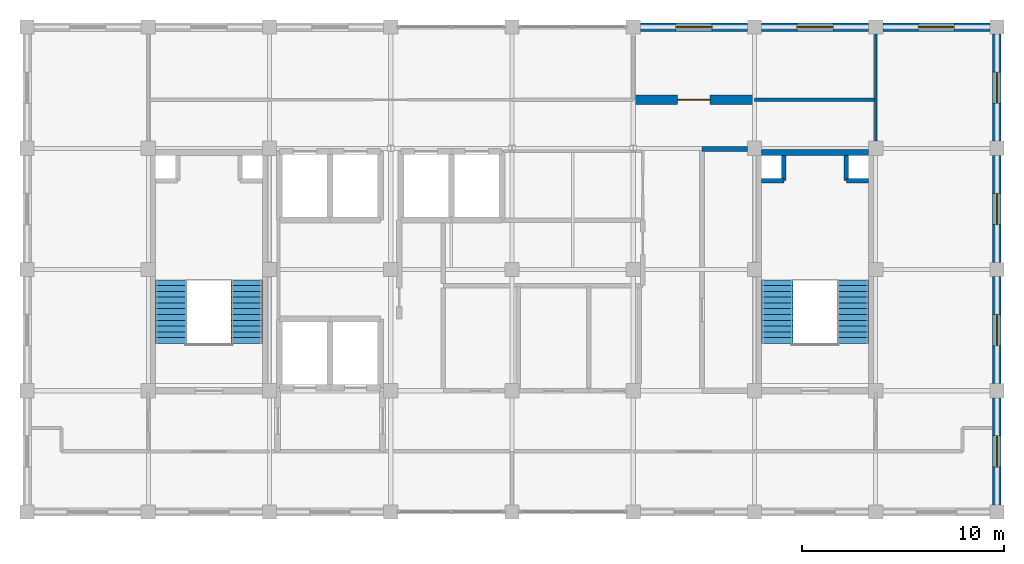
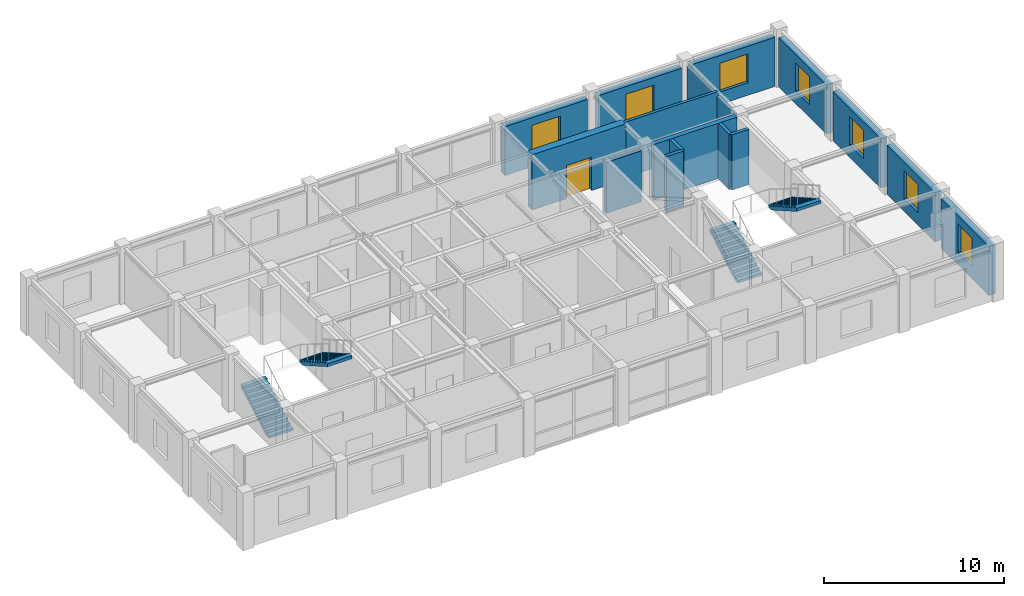
# One storey, part 10 of 11: 16 walls, 7 windows, 4 stair flights, 1 door, 8 openings, 2 elements without a shape of their own.
"""IFC4 building model written with IfcOpenShell, lengths in metres."""

from ifc_helpers import new_model, si_unit, direction, frame, frame_2d, origin, place, context, subcontext, project, spatial, polyline, rectangle, outline, extrude, material, layer, layer_set, type_object, element, fill, aggregate, save


model = new_model("IFC4")

# Units and contexts
model_context = context("Model", 3, precision=1e-05, world=origin(), true_north=direction((0.0, 1.0)))
body_context = subcontext(model_context, "Body", "Model", "MODEL_VIEW")
ifc_project = project(units=[si_unit("LENGTHUNIT", "METRE"), si_unit("AREAUNIT", "SQUARE_METRE"), si_unit("VOLUMEUNIT", "CUBIC_METRE"), si_unit("PLANEANGLEUNIT", "RADIAN"), si_unit("MASSUNIT", "GRAM", prefix="KILO")], contexts=[model_context])

# Site, building, storey
site_placement = place(None, origin())
site = spatial("IfcSite", under=ifc_project, at=site_placement, CompositionType="ELEMENT")
building_placement = place(site_placement, origin())
building = spatial("IfcBuilding", under=site, at=building_placement, Name="Zlatovratsky Civic Hall", CompositionType="ELEMENT")
storey_placement = place(building_placement, frame((0.0, 0.0, 56.10009765625)))
storey = spatial("IfcBuildingStorey", under=building, at=storey_placement, Name="L14", CompositionType="ELEMENT", Elevation=56.10009765625)

# Walls
ifc_material_1 = material(Name="Acoustic ceramic blockwork", Category="masonry")
ifc_layer_1 = layer(ifc_material_1, 0.179931640625)
ifc_layer_set_1 = layer_set([ifc_layer_1], Name="Acoustic ceramic blockwork")
wall_type_1 = type_object("IfcWallType", Name="Wall_AcousticChamberPartition_180", PredefinedType="PARTITIONING", material=ifc_layer_set_1)
wall_1_placement = place(storey_placement, frame((96.0, 98.39990234375, 0.0), z_axis=(0.0, 0.0, 1.0), x_axis=(1.0, 0.0, 0.0)))
element("IfcWall", 1, at=wall_1_placement, inside=storey, type_object=wall_type_1, Name="WL-6683", PredefinedType="PARTITIONING", context=body_context, shape_type="SweptSolid", body=[
    extrude(rectangle(XDim=6.0, YDim=0.179931640625, at=frame_2d((3.0, 0.0))), origin(), (0.0, 0.0, 1.0), 3.739990234375),
])
ifc_layer_2 = layer(ifc_material_1, 0.260009765625)
ifc_layer_set_2 = layer_set([ifc_layer_2], Name="Acoustic ceramic blockwork")
wall_type_2 = type_object("IfcWallType", Name="Wall_ArchiveCompartment_260", PredefinedType="PARTITIONING", material=ifc_layer_set_2)
wall_2_placement = place(storey_placement, frame((93.39990234375, 95.9599609375, 0.0), z_axis=(0.0, 0.0, 1.0), x_axis=(1.0, 0.0, 0.0)))
element("IfcWall", 2, at=wall_2_placement, inside=storey, type_object=wall_type_2, Name="WL-6648", PredefinedType="PARTITIONING", context=body_context, shape_type="SweptSolid", body=[
    extrude(rectangle(XDim=2.25, YDim=0.260009765625, at=frame_2d((1.125, 0.0))), origin(), (0.0, 0.0, 1.0), 3.448974609375),
])

# Wall, opening, door
ifc_material_2 = material(Name="Concrete C35/45 (B40)", Category="concrete")
ifc_layer_3 = layer(ifc_material_2, 0.47998046875)
ifc_layer_set_3 = layer_set([ifc_layer_3], Name="Concrete C35/45 (B40)")
wall_type_3 = type_object("IfcWallType", Name="Wall_LowerCoreShear_480", PredefinedType="SHEAR", material=ifc_layer_set_3)
wall_3_placement = place(storey_placement, frame((90.0, 98.39990234375, 0.0), z_axis=(0.0, 0.0, 1.0), x_axis=(1.0, 0.0, 0.0)))
wall_3 = element("IfcWall", 3, at=wall_3_placement, inside=storey, type_object=wall_type_3, Name="WL-6663", PredefinedType="SHEAR", context=body_context, shape_type="SweptSolid", body=[
    extrude(rectangle(XDim=6.0, YDim=0.47998046875, at=frame_2d((3.0, 0.0))), origin(), (0.0, 0.0, 1.0), 3.739990234375),
])
opening_1_placement = place(wall_3_placement, frame((2.199951171875, 0.0, 0.0)))
opening_1 = element("IfcOpeningElement", 4, at=opening_1_placement, cuts=wall_3, Name="Opening D-29", PredefinedType="OPENING", context=body_context, shape_type="SweptSolid", body=[
    extrude(rectangle(XDim=1.60009765625, YDim=2.25, at=frame_2d((0.800048828125, 1.125))), frame((0.0, 0.2548828125, 0.0), z_axis=(0.0, -1.0, 0.0), x_axis=(1.0, 0.0, 0.0)), (0.0, 0.0, 1.0), 0.509765625),
])
ifc_material_3 = material(Name="Insulated painted fire-rated steel leaf", Category="steel")
door_type = type_object("IfcDoorType", Name="Door_PlantRoomDouble_1600x2250", OperationType="DOUBLE_DOOR_SINGLE_SWING", PredefinedType="DOOR", material=ifc_material_3)
door_placement = place(opening_1_placement, origin())
door = element("IfcDoor", 5, at=door_placement, inside=storey, type_object=door_type, Name="DR-5512", OperationType="DOUBLE_DOOR_SINGLE_SWING", OverallHeight=2.25, OverallWidth=1.60009765625, PredefinedType="DOOR", context=body_context, shape_type="SweptSolid", body=[
    extrude(rectangle(XDim=1.60009765625, YDim=2.25, at=frame_2d((0.800048828125, 1.125))), frame((0.0, 0.02490234375, 0.0), z_axis=(0.0, -1.0, 0.0), x_axis=(1.0, 0.0, 0.0)), (0.0, 0.0, 1.0), 0.050048828125),
])
fill(opening_1, door)

# Walls
ifc_material_4 = material(Name="Fire-rated gypsum board framing", Category="gypsum")
ifc_layer_4 = layer(ifc_material_4, 0.139892578125)
ifc_layer_set_4 = layer_set([ifc_layer_4], Name="Fire-rated gypsum board framing")
wall_type_4 = type_object("IfcWallType", Name="Wall_OfficePartition_140", PredefinedType="PARTITIONING", material=ifc_layer_set_4)
wall_4_placement = place(storey_placement, frame((102.0, 96.35009765625, 0.0), z_axis=(0.0, 0.0, 1.0), x_axis=(0.0, 1.0, 0.0)))
element("IfcWall", 6, at=wall_4_placement, inside=storey, type_object=wall_type_4, Name="WL-6685", PredefinedType="PARTITIONING", context=body_context, shape_type="SweptSolid", body=[
    extrude(rectangle(XDim=5.2998046875, YDim=0.139892578125, at=frame_2d((2.64990234375, 0.0))), origin(), (0.0, 0.0, 1.0), 3.448974609375),
])
ifc_layer_5 = layer(ifc_material_1, 0.219970703125)
ifc_layer_set_5 = layer_set([ifc_layer_5], Name="Acoustic ceramic blockwork")
wall_type_5 = type_object("IfcWallType", Name="Wall_SanitaryWetCore_220", PredefinedType="PARTITIONING", material=ifc_layer_set_5)
wall_5_placement = place(storey_placement, frame((97.449951171875, 94.39990234375, 0.0), z_axis=(0.0, 0.0, 1.0), x_axis=(0.0, 1.0, 0.0)))
element("IfcWall", 7, at=wall_5_placement, inside=storey, type_object=wall_type_5, Name="WL-5275", PredefinedType="PARTITIONING", context=body_context, shape_type="SweptSolid", body=[
    extrude(rectangle(XDim=1.25, YDim=0.219970703125, at=frame_2d((0.625, 0.0))), origin(), (0.0, 0.0, 1.0), 3.739990234375),
])
wall_6_placement = place(storey_placement, frame((96.35009765625, 94.39990234375, 0.0), z_axis=(0.0, 0.0, 1.0), x_axis=(1.0, 0.0, 0.0)))
element("IfcWall", 8, at=wall_6_placement, inside=storey, type_object=wall_type_5, Name="WL-5276", PredefinedType="PARTITIONING", context=body_context, shape_type="SweptSolid", body=[
    extrude(rectangle(XDim=1.099853515625, YDim=0.219970703125, at=frame_2d((0.5498046875, 0.0))), origin(), (0.0, 0.0, 1.0), 3.739990234375),
])
wall_7_placement = place(storey_placement, frame((100.550048828125, 94.39990234375, 0.0), z_axis=(0.0, 0.0, 1.0), x_axis=(0.0, 1.0, 0.0)))
element("IfcWall", 9, at=wall_7_placement, inside=storey, type_object=wall_type_5, Name="WL-5277", PredefinedType="PARTITIONING", context=body_context, shape_type="SweptSolid", body=[
    extrude(rectangle(XDim=1.25, YDim=0.219970703125, at=frame_2d((0.625, 0.0))), origin(), (0.0, 0.0, 1.0), 3.739990234375),
])
wall_8_placement = place(storey_placement, frame((100.550048828125, 94.39990234375, 0.0), z_axis=(0.0, 0.0, 1.0), x_axis=(1.0, 0.0, 0.0)))
element("IfcWall", 10, at=wall_8_placement, inside=storey, type_object=wall_type_5, Name="WL-5278", PredefinedType="PARTITIONING", context=body_context, shape_type="SweptSolid", body=[
    extrude(rectangle(XDim=1.099853515625, YDim=0.219970703125, at=frame_2d((0.5498046875, 0.0))), origin(), (0.0, 0.0, 1.0), 3.739990234375),
])
ifc_layer_6 = layer(ifc_material_2, 0.300048828125)
ifc_layer_set_6 = layer_set([ifc_layer_6], Name="Concrete C35/45 (B40)")
wall_type_6 = type_object("IfcWallType", Name="Wall_StairAndLiftShaft_300", PredefinedType="SHEAR", material=ifc_layer_set_6)
wall_9_placement = place(storey_placement, frame((96.35009765625, 95.800048828125, 0.0), z_axis=(0.0, 0.0, 1.0), x_axis=(1.0, 0.0, 0.0)))
element("IfcWall", 11, at=wall_9_placement, inside=storey, type_object=wall_type_6, Name="WL-5272", PredefinedType="SHEAR", context=body_context, shape_type="SweptSolid", body=[
    extrude(rectangle(XDim=5.2998046875, YDim=0.300048828125, at=frame_2d((2.64990234375, 0.0))), origin(), (0.0, 0.0, 1.0), 3.739990234375),
])

# Wall, opening, window
ifc_layer_7 = layer(ifc_material_1, 0.280029296875, Name="Backing")
ifc_material_5 = material(Name="Podolsk limestone ashlar", Category="masonry")
ifc_layer_8 = layer(ifc_material_5, 0.139892578125, Name="Finish")
ifc_layer_set_7 = layer_set([ifc_layer_7, ifc_layer_8], Name="Acoustic ceramic blockwork")
wall_type_7 = type_object("IfcWallType", Name="Wall_TowerLimestoneAshlar_420", PredefinedType="SOLIDWALL", material=ifc_layer_set_7)
wall_10_placement = place(storey_placement, frame((90.35009765625, 102.0, 0.0), z_axis=(0.0, 0.0, 1.0), x_axis=(1.0, 0.0, 0.0)))
wall_10 = element("IfcWall", 12, at=wall_10_placement, inside=storey, type_object=wall_type_7, Name="WL-0618", PredefinedType="SOLIDWALL", context=body_context, shape_type="SweptSolid", body=[
    extrude(rectangle(XDim=5.2998046875, YDim=0.419921875, at=frame_2d((2.64990234375, 0.0))), origin(), (0.0, 0.0, 1.0), 3.31982421875),
])
opening_2_placement = place(wall_10_placement, frame((1.75, 0.0, 0.85009765625)))
opening_2 = element("IfcOpeningElement", 13, at=opening_2_placement, cuts=wall_10, Name="Opening WN-21", PredefinedType="OPENING", context=body_context, shape_type="SweptSolid", body=[
    extrude(rectangle(XDim=1.800048828125, YDim=1.949951171875, at=frame_2d((0.89990234375, 0.97509765625))), frame((0.0, 0.224853515625, 0.0), z_axis=(0.0, -1.0, 0.0), x_axis=(1.0, 0.0, 0.0)), (0.0, 0.0, 1.0), 0.44970703125),
])
ifc_material_6 = material(Name="Low-E laminated double glazing", Category="glass")
window_type_1 = type_object("IfcWindowType", Name="Window_TowerTier3North_1800x1950", PartitioningType="SINGLE_PANEL", PredefinedType="WINDOW", material=ifc_material_6)
window_1_placement = place(opening_2_placement, origin())
window_1 = element("IfcWindow", 14, at=window_1_placement, inside=storey, type_object=window_type_1, Name="WN-0490", OverallHeight=1.949951171875, OverallWidth=1.800048828125, PartitioningType="SINGLE_PANEL", PredefinedType="WINDOW", context=body_context, shape_type="SweptSolid", body=[
    extrude(rectangle(XDim=1.800048828125, YDim=1.949951171875, at=frame_2d((0.89990234375, 0.97509765625))), frame((0.0, 0.030029296875, 0.0), z_axis=(0.0, -1.0, 0.0), x_axis=(1.0, 0.0, 0.0)), (0.0, 0.0, 1.0), 0.06005859375),
])
fill(opening_2, window_1)

wall_11_placement = place(storey_placement, frame((96.35009765625, 102.0, 0.0), z_axis=(0.0, 0.0, 1.0), x_axis=(1.0, 0.0, 0.0)))
wall_11 = element("IfcWall", 15, at=wall_11_placement, inside=storey, type_object=wall_type_7, Name="WL-0619", PredefinedType="SOLIDWALL", context=body_context, shape_type="SweptSolid", body=[
    extrude(rectangle(XDim=5.2998046875, YDim=0.419921875, at=frame_2d((2.64990234375, 0.0))), origin(), (0.0, 0.0, 1.0), 3.31982421875),
])
opening_3_placement = place(wall_11_placement, frame((1.75, 0.0, 0.85009765625)))
opening_3 = element("IfcOpeningElement", 16, at=opening_3_placement, cuts=wall_11, Name="Opening WN-21", PredefinedType="OPENING", context=body_context, shape_type="SweptSolid", body=[
    extrude(rectangle(XDim=1.800048828125, YDim=1.949951171875, at=frame_2d((0.89990234375, 0.97509765625))), frame((0.0, 0.224853515625, 0.0), z_axis=(0.0, -1.0, 0.0), x_axis=(1.0, 0.0, 0.0)), (0.0, 0.0, 1.0), 0.44970703125),
])
window_2_placement = place(opening_3_placement, origin())
window_2 = element("IfcWindow", 17, at=window_2_placement, inside=storey, type_object=window_type_1, Name="WN-0491", OverallHeight=1.949951171875, OverallWidth=1.800048828125, PartitioningType="SINGLE_PANEL", PredefinedType="WINDOW", context=body_context, shape_type="SweptSolid", body=[
    extrude(rectangle(XDim=1.800048828125, YDim=1.949951171875, at=frame_2d((0.89990234375, 0.97509765625))), frame((0.0, 0.030029296875, 0.0), z_axis=(0.0, -1.0, 0.0), x_axis=(1.0, 0.0, 0.0)), (0.0, 0.0, 1.0), 0.06005859375),
])
fill(opening_3, window_2)

wall_12_placement = place(storey_placement, frame((102.35009765625, 102.0, 0.0), z_axis=(0.0, 0.0, 1.0), x_axis=(1.0, 0.0, 0.0)))
wall_12 = element("IfcWall", 18, at=wall_12_placement, inside=storey, type_object=wall_type_7, Name="WL-0620", PredefinedType="SOLIDWALL", context=body_context, shape_type="SweptSolid", body=[
    extrude(rectangle(XDim=5.2998046875, YDim=0.419921875, at=frame_2d((2.64990234375, 0.0))), origin(), (0.0, 0.0, 1.0), 3.31982421875),
])
opening_4_placement = place(wall_12_placement, frame((1.75, 0.0, 0.85009765625)))
opening_4 = element("IfcOpeningElement", 19, at=opening_4_placement, cuts=wall_12, Name="Opening WN-21", PredefinedType="OPENING", context=body_context, shape_type="SweptSolid", body=[
    extrude(rectangle(XDim=1.800048828125, YDim=1.949951171875, at=frame_2d((0.89990234375, 0.97509765625))), frame((0.0, 0.224853515625, 0.0), z_axis=(0.0, -1.0, 0.0), x_axis=(1.0, 0.0, 0.0)), (0.0, 0.0, 1.0), 0.44970703125),
])
window_3_placement = place(opening_4_placement, origin())
window_3 = element("IfcWindow", 20, at=window_3_placement, inside=storey, type_object=window_type_1, Name="WN-0492", OverallHeight=1.949951171875, OverallWidth=1.800048828125, PartitioningType="SINGLE_PANEL", PredefinedType="WINDOW", context=body_context, shape_type="SweptSolid", body=[
    extrude(rectangle(XDim=1.800048828125, YDim=1.949951171875, at=frame_2d((0.89990234375, 0.97509765625))), frame((0.0, 0.030029296875, 0.0), z_axis=(0.0, -1.0, 0.0), x_axis=(1.0, 0.0, 0.0)), (0.0, 0.0, 1.0), 0.06005859375),
])
fill(opening_4, window_3)

wall_13_placement = place(storey_placement, frame((108.0, 78.35009765625, 0.0), z_axis=(0.0, 0.0, 1.0), x_axis=(0.0, 1.0, 0.0)))
wall_13 = element("IfcWall", 21, at=wall_13_placement, inside=storey, type_object=wall_type_7, Name="WL-0625", PredefinedType="SOLIDWALL", context=body_context, shape_type="SweptSolid", body=[
    extrude(rectangle(XDim=5.2998046875, YDim=0.419921875, at=frame_2d((2.64990234375, 0.0))), origin(), (0.0, 0.0, 1.0), 3.31982421875),
])
opening_5_placement = place(wall_13_placement, frame((1.875, 0.0, 0.85009765625)))
opening_5 = element("IfcOpeningElement", 22, at=opening_5_placement, cuts=wall_13, Name="Opening WN-22", PredefinedType="OPENING", context=body_context, shape_type="SweptSolid", body=[
    extrude(rectangle(XDim=1.550048828125, YDim=1.89990234375, at=frame_2d((0.77490234375, 0.949951171875))), frame((0.0, 0.224853515625, 0.0), z_axis=(0.0, -1.0, 0.0), x_axis=(1.0, 0.0, 0.0)), (0.0, 0.0, 1.0), 0.44970703125),
])
window_type_2 = type_object("IfcWindowType", Name="Window_TowerTier3Flank_1550x1900", PartitioningType="SINGLE_PANEL", PredefinedType="WINDOW", material=ifc_material_6)
window_4_placement = place(opening_5_placement, origin())
window_4 = element("IfcWindow", 23, at=window_4_placement, inside=storey, type_object=window_type_2, Name="WN-0497", OverallHeight=1.89990234375, OverallWidth=1.550048828125, PartitioningType="SINGLE_PANEL", PredefinedType="WINDOW", context=body_context, shape_type="SweptSolid", body=[
    extrude(rectangle(XDim=1.550048828125, YDim=1.89990234375, at=frame_2d((0.77490234375, 0.949951171875))), frame((0.0, 0.030029296875, 0.0), z_axis=(0.0, -1.0, 0.0), x_axis=(1.0, 0.0, 0.0)), (0.0, 0.0, 1.0), 0.06005859375),
])
fill(opening_5, window_4)

wall_14_placement = place(storey_placement, frame((108.0, 84.35009765625, 0.0), z_axis=(0.0, 0.0, 1.0), x_axis=(0.0, 1.0, 0.0)))
wall_14 = element("IfcWall", 24, at=wall_14_placement, inside=storey, type_object=wall_type_7, Name="WL-0626", PredefinedType="SOLIDWALL", context=body_context, shape_type="SweptSolid", body=[
    extrude(rectangle(XDim=5.2998046875, YDim=0.419921875, at=frame_2d((2.64990234375, 0.0))), origin(), (0.0, 0.0, 1.0), 3.31982421875),
])
opening_6_placement = place(wall_14_placement, frame((1.875, 0.0, 0.85009765625)))
opening_6 = element("IfcOpeningElement", 25, at=opening_6_placement, cuts=wall_14, Name="Opening WN-22", PredefinedType="OPENING", context=body_context, shape_type="SweptSolid", body=[
    extrude(rectangle(XDim=1.550048828125, YDim=1.89990234375, at=frame_2d((0.77490234375, 0.949951171875))), frame((0.0, 0.224853515625, 0.0), z_axis=(0.0, -1.0, 0.0), x_axis=(1.0, 0.0, 0.0)), (0.0, 0.0, 1.0), 0.44970703125),
])
window_5_placement = place(opening_6_placement, origin())
window_5 = element("IfcWindow", 26, at=window_5_placement, inside=storey, type_object=window_type_2, Name="WN-0498", OverallHeight=1.89990234375, OverallWidth=1.550048828125, PartitioningType="SINGLE_PANEL", PredefinedType="WINDOW", context=body_context, shape_type="SweptSolid", body=[
    extrude(rectangle(XDim=1.550048828125, YDim=1.89990234375, at=frame_2d((0.77490234375, 0.949951171875))), frame((0.0, 0.030029296875, 0.0), z_axis=(0.0, -1.0, 0.0), x_axis=(1.0, 0.0, 0.0)), (0.0, 0.0, 1.0), 0.06005859375),
])
fill(opening_6, window_5)

wall_15_placement = place(storey_placement, frame((108.0, 90.35009765625, 0.0), z_axis=(0.0, 0.0, 1.0), x_axis=(0.0, 1.0, 0.0)))
wall_15 = element("IfcWall", 27, at=wall_15_placement, inside=storey, type_object=wall_type_7, Name="WL-0627", PredefinedType="SOLIDWALL", context=body_context, shape_type="SweptSolid", body=[
    extrude(rectangle(XDim=5.2998046875, YDim=0.419921875, at=frame_2d((2.64990234375, 0.0))), origin(), (0.0, 0.0, 1.0), 3.31982421875),
])
opening_7_placement = place(wall_15_placement, frame((1.875, 0.0, 0.85009765625)))
opening_7 = element("IfcOpeningElement", 28, at=opening_7_placement, cuts=wall_15, Name="Opening WN-22", PredefinedType="OPENING", context=body_context, shape_type="SweptSolid", body=[
    extrude(rectangle(XDim=1.550048828125, YDim=1.89990234375, at=frame_2d((0.77490234375, 0.949951171875))), frame((0.0, 0.224853515625, 0.0), z_axis=(0.0, -1.0, 0.0), x_axis=(1.0, 0.0, 0.0)), (0.0, 0.0, 1.0), 0.44970703125),
])
window_6_placement = place(opening_7_placement, origin())
window_6 = element("IfcWindow", 29, at=window_6_placement, inside=storey, type_object=window_type_2, Name="WN-0499", OverallHeight=1.89990234375, OverallWidth=1.550048828125, PartitioningType="SINGLE_PANEL", PredefinedType="WINDOW", context=body_context, shape_type="SweptSolid", body=[
    extrude(rectangle(XDim=1.550048828125, YDim=1.89990234375, at=frame_2d((0.77490234375, 0.949951171875))), frame((0.0, 0.030029296875, 0.0), z_axis=(0.0, -1.0, 0.0), x_axis=(1.0, 0.0, 0.0)), (0.0, 0.0, 1.0), 0.06005859375),
])
fill(opening_7, window_6)

wall_16_placement = place(storey_placement, frame((108.0, 96.35009765625, 0.0), z_axis=(0.0, 0.0, 1.0), x_axis=(0.0, 1.0, 0.0)))
wall_16 = element("IfcWall", 30, at=wall_16_placement, inside=storey, type_object=wall_type_7, Name="WL-0628", PredefinedType="SOLIDWALL", context=body_context, shape_type="SweptSolid", body=[
    extrude(rectangle(XDim=5.2998046875, YDim=0.419921875, at=frame_2d((2.64990234375, 0.0))), origin(), (0.0, 0.0, 1.0), 3.31982421875),
])
opening_8_placement = place(wall_16_placement, frame((1.875, 0.0, 0.85009765625)))
opening_8 = element("IfcOpeningElement", 31, at=opening_8_placement, cuts=wall_16, Name="Opening WN-22", PredefinedType="OPENING", context=body_context, shape_type="SweptSolid", body=[
    extrude(rectangle(XDim=1.550048828125, YDim=1.89990234375, at=frame_2d((0.77490234375, 0.949951171875))), frame((0.0, 0.224853515625, 0.0), z_axis=(0.0, -1.0, 0.0), x_axis=(1.0, 0.0, 0.0)), (0.0, 0.0, 1.0), 0.44970703125),
])
window_7_placement = place(opening_8_placement, origin())
window_7 = element("IfcWindow", 32, at=window_7_placement, inside=storey, type_object=window_type_2, Name="WN-0500", OverallHeight=1.89990234375, OverallWidth=1.550048828125, PartitioningType="SINGLE_PANEL", PredefinedType="WINDOW", context=body_context, shape_type="SweptSolid", body=[
    extrude(rectangle(XDim=1.550048828125, YDim=1.89990234375, at=frame_2d((0.77490234375, 0.949951171875))), frame((0.0, 0.030029296875, 0.0), z_axis=(0.0, -1.0, 0.0), x_axis=(1.0, 0.0, 0.0)), (0.0, 0.0, 1.0), 0.06005859375),
])
fill(opening_8, window_7)

# Stair, stair flights
ifc_material_7 = material(Name="Concrete C30/37 (B35)", Category="concrete")
stair_type = type_object("IfcStairType", Name="Stair_HALF_24R_1550W_04", PredefinedType="HALF_TURN_STAIR", material=ifc_material_7)
stair_1_placement = place(storey_placement, origin())
stair_1 = element("IfcStair", 33, at=stair_1_placement, inside=storey, type_object=stair_type, Name="ST-015", PredefinedType="HALF_TURN_STAIR")
stair_flight_type = type_object("IfcStairFlightType", Name="StairFlight_12R_1550W_04", PredefinedType="STRAIGHT", material=ifc_material_7)
stair_flight_1_placement = place(storey_placement, frame((67.125, 86.35009765625, 0.0), z_axis=(0.0, 0.0, 1.0), x_axis=(0.0, 1.0, 0.0)))
stair_flight_1 = element("IfcStairFlight", 34, at=stair_flight_1_placement, type_object=stair_flight_type, Name="ST-015-F1", NumberOfRisers=12, NumberOfTreads=11, PredefinedType="STRAIGHT", RiserHeight=0.1625, TreadLength=0.285, context=body_context, shape_type="SweptSolid", body=[
    extrude(outline(polyline([(0.0, 0.0), (0.0, 0.16259765625), (0.284912109375, 0.16259765625), (0.284912109375, 0.324951171875), (0.570068359375, 0.324951171875), (0.570068359375, 0.487548828125), (0.85498046875, 0.487548828125), (0.85498046875, 0.64990234375), (1.139892578125, 0.64990234375), (1.139892578125, 0.8125), (1.425048828125, 0.8125), (1.425048828125, 0.97509765625), (1.7099609375, 0.97509765625), (1.7099609375, 1.137451171875), (1.9951171875, 1.137451171875), (1.9951171875, 1.300048828125), (2.280029296875, 1.300048828125), (2.280029296875, 1.46240234375), (2.56494140625, 1.46240234375), (2.56494140625, 1.625), (2.85009765625, 1.625), (2.85009765625, 1.78759765625), (3.135009765625, 1.78759765625), (3.135009765625, 1.949951171875), (3.135009765625, 1.580322265625), (0.36328125, 0.0), (0.0, 0.0)])), frame((0.0, 0.77490234375, 0.0), z_axis=(0.0, -1.0, 0.0), x_axis=(1.0, 0.0, 0.0)), (0.0, 0.0, 1.0), 1.550048828125),
])
stair_flight_2_placement = place(storey_placement, frame((70.875, 89.485107421875, 1.949951171875), z_axis=(0.0, 0.0, 1.0), x_axis=(0.0, -1.0, 0.0)))
stair_flight_2 = element("IfcStairFlight", 35, at=stair_flight_2_placement, type_object=stair_flight_type, Name="ST-015-F2", NumberOfRisers=12, NumberOfTreads=11, PredefinedType="STRAIGHT", RiserHeight=0.1625, TreadLength=0.285, context=body_context, shape_type="SweptSolid", body=[
    extrude(outline(polyline([(0.0, 0.0), (0.0, 0.16259765625), (0.284912109375, 0.16259765625), (0.284912109375, 0.324951171875), (0.570068359375, 0.324951171875), (0.570068359375, 0.487548828125), (0.85498046875, 0.487548828125), (0.85498046875, 0.64990234375), (1.139892578125, 0.64990234375), (1.139892578125, 0.8125), (1.425048828125, 0.8125), (1.425048828125, 0.97509765625), (1.7099609375, 0.97509765625), (1.7099609375, 1.137451171875), (1.9951171875, 1.137451171875), (1.9951171875, 1.300048828125), (2.280029296875, 1.300048828125), (2.280029296875, 1.46240234375), (2.56494140625, 1.46240234375), (2.56494140625, 1.625), (2.85009765625, 1.625), (2.85009765625, 1.78759765625), (3.135009765625, 1.78759765625), (3.135009765625, 1.949951171875), (3.135009765625, 1.580322265625), (0.36328125, 0.0), (0.0, 0.0)])), frame((0.0, 0.77490234375, 0.0), z_axis=(0.0, -1.0, 0.0), x_axis=(1.0, 0.0, 0.0)), (0.0, 0.0, 1.0), 1.550048828125),
])
aggregate(stair_1, [stair_flight_1, stair_flight_2])

stair_2_placement = place(storey_placement, origin())
stair_2 = element("IfcStair", 36, at=stair_2_placement, inside=storey, type_object=stair_type, Name="ST-034", PredefinedType="HALF_TURN_STAIR")
stair_flight_3_placement = place(storey_placement, frame((97.125, 86.35009765625, 0.0), z_axis=(0.0, 0.0, 1.0), x_axis=(0.0, 1.0, 0.0)))
stair_flight_3 = element("IfcStairFlight", 37, at=stair_flight_3_placement, type_object=stair_flight_type, Name="ST-034-F1", NumberOfRisers=12, NumberOfTreads=11, PredefinedType="STRAIGHT", RiserHeight=0.1625, TreadLength=0.285, context=body_context, shape_type="SweptSolid", body=[
    extrude(outline(polyline([(0.0, 0.0), (0.0, 0.16259765625), (0.284912109375, 0.16259765625), (0.284912109375, 0.324951171875), (0.570068359375, 0.324951171875), (0.570068359375, 0.487548828125), (0.85498046875, 0.487548828125), (0.85498046875, 0.64990234375), (1.139892578125, 0.64990234375), (1.139892578125, 0.8125), (1.425048828125, 0.8125), (1.425048828125, 0.97509765625), (1.7099609375, 0.97509765625), (1.7099609375, 1.137451171875), (1.9951171875, 1.137451171875), (1.9951171875, 1.300048828125), (2.280029296875, 1.300048828125), (2.280029296875, 1.46240234375), (2.56494140625, 1.46240234375), (2.56494140625, 1.625), (2.85009765625, 1.625), (2.85009765625, 1.78759765625), (3.135009765625, 1.78759765625), (3.135009765625, 1.949951171875), (3.135009765625, 1.580322265625), (0.36328125, 0.0), (0.0, 0.0)])), frame((0.0, 0.77490234375, 0.0), z_axis=(0.0, -1.0, 0.0), x_axis=(1.0, 0.0, 0.0)), (0.0, 0.0, 1.0), 1.550048828125),
])
stair_flight_4_placement = place(storey_placement, frame((100.875, 89.485107421875, 1.949951171875), z_axis=(0.0, 0.0, 1.0), x_axis=(0.0, -1.0, 0.0)))
stair_flight_4 = element("IfcStairFlight", 38, at=stair_flight_4_placement, type_object=stair_flight_type, Name="ST-034-F2", NumberOfRisers=12, NumberOfTreads=11, PredefinedType="STRAIGHT", RiserHeight=0.1625, TreadLength=0.285, context=body_context, shape_type="SweptSolid", body=[
    extrude(outline(polyline([(0.0, 0.0), (0.0, 0.16259765625), (0.284912109375, 0.16259765625), (0.284912109375, 0.324951171875), (0.570068359375, 0.324951171875), (0.570068359375, 0.487548828125), (0.85498046875, 0.487548828125), (0.85498046875, 0.64990234375), (1.139892578125, 0.64990234375), (1.139892578125, 0.8125), (1.425048828125, 0.8125), (1.425048828125, 0.97509765625), (1.7099609375, 0.97509765625), (1.7099609375, 1.137451171875), (1.9951171875, 1.137451171875), (1.9951171875, 1.300048828125), (2.280029296875, 1.300048828125), (2.280029296875, 1.46240234375), (2.56494140625, 1.46240234375), (2.56494140625, 1.625), (2.85009765625, 1.625), (2.85009765625, 1.78759765625), (3.135009765625, 1.78759765625), (3.135009765625, 1.949951171875), (3.135009765625, 1.580322265625), (0.36328125, 0.0), (0.0, 0.0)])), frame((0.0, 0.77490234375, 0.0), z_axis=(0.0, -1.0, 0.0), x_axis=(1.0, 0.0, 0.0)), (0.0, 0.0, 1.0), 1.550048828125),
])
aggregate(stair_2, [stair_flight_3, stair_flight_4])

save(model, "model.ifc")
